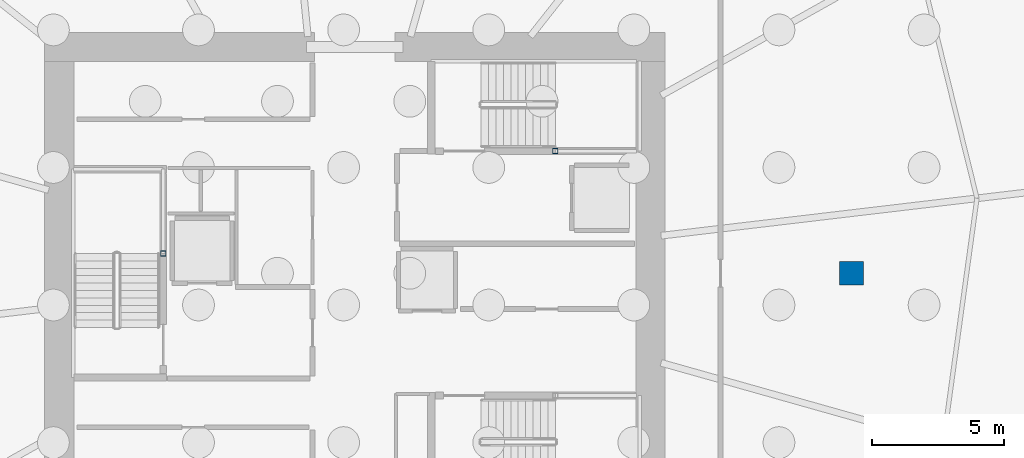
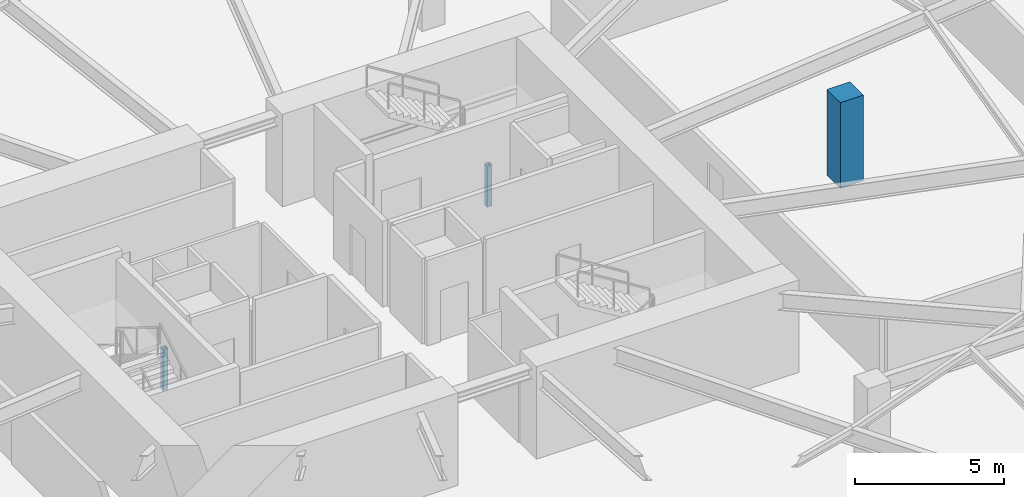
# One storey, part 4 of 12: 3 columns.
"""IFC4 building model written with IfcOpenShell, lengths in metres."""

from ifc_helpers import new_model, si_unit, direction, frame, origin, origin_2d, place, context, subcontext, project, spatial, rectangle, hollow_rectangle, extrude, material, material_profile, profile_set, type_object, element, save


model = new_model("IFC4")

# Units and contexts
model_context = context("Model", 3, precision=1e-05, world=origin(), true_north=direction((0.0, 1.0)))
body_context = subcontext(model_context, "Body", "Model", "MODEL_VIEW")
ifc_project = project(units=[si_unit("LENGTHUNIT", "METRE"), si_unit("AREAUNIT", "SQUARE_METRE"), si_unit("VOLUMEUNIT", "CUBIC_METRE"), si_unit("PLANEANGLEUNIT", "RADIAN"), si_unit("MASSUNIT", "GRAM", prefix="KILO")], contexts=[model_context])

# Site, building, storey
site_placement = place(None, origin())
site = spatial("IfcSite", under=ifc_project, at=site_placement, CompositionType="ELEMENT")
building_placement = place(site_placement, origin())
building = spatial("IfcBuilding", under=site, at=building_placement, Name="Kazma Halo Residences", CompositionType="ELEMENT")
storey_placement = place(building_placement, frame((0.0, 0.0, -7.60009765625)))
storey = spatial("IfcBuildingStorey", under=building, at=storey_placement, Name="B02", CompositionType="ELEMENT", Elevation=-7.60009765625)

# Columns
ifc_material_1 = material(Name="Concrete C60/75", Category="concrete")
ifc_material_profile_1 = material_profile(ifc_material_1, rectangle(XDim=0.89990234375, YDim=0.89990234375, at=origin_2d()), Name="RECT900x900")
ifc_profile_set_1 = profile_set([ifc_material_profile_1], Name="Concrete C60/75")
column_type_1 = type_object("IfcColumnType", Name="COL-BSMT-900", PredefinedType="COLUMN", material=ifc_profile_set_1)
column_placement = place(storey_placement, frame((67.199951171875, 42.0, 0.0), z_axis=(0.0, 0.0, 1.0), x_axis=(1.0, 0.0, 0.0)))
element("IfcColumn", 1, at=column_placement, inside=storey, type_object=column_type_1, Name="B02 parking grid column 21", PredefinedType="COLUMN", context=body_context, shape_type="SweptSolid", body=[
    extrude(rectangle(XDim=0.89990234375, YDim=0.89990234375, at=origin_2d()), origin(), (0.0, 0.0, 1.0), 3.52001953125),
])
ifc_material_2 = material(Name="Steel S355", Category="steel")
ifc_material_profile_2 = material_profile(ifc_material_2, hollow_rectangle(XDim=0.199951171875, YDim=0.199951171875, WallThickness=0.010009765625, InnerFilletRadius=0.010009765625, OuterFilletRadius=0.02001953125, at=origin_2d()), Name="SHS200x200x10")
ifc_profile_set_2 = profile_set([ifc_material_profile_2], Name="Steel S355")
column_type_2 = type_object("IfcColumnType", Name="COL-LP-SHS200", PredefinedType="COLUMN", material=ifc_profile_set_2)
for number, where, z_axis, x_axis, name in (
    (2, (41.179931640625, 42.75, 0.0), (0.0, 0.0, 1.0), (1.0, 0.0, 0.0), "B02 ST-01 landing pilaster 1"),
    (3, (56.0, 46.6201171875, 0.0), (0.0, 0.0, 1.0), (1.0, 0.0, 0.0), "B02 ST-02 landing pilaster 1"),
):
    element("IfcColumn", number, at=place(storey_placement, frame(where, z_axis=z_axis, x_axis=x_axis)), inside=storey, type_object=column_type_2, Name=name, PredefinedType="COLUMN", context=body_context, shape_type="SweptSolid", body=[
        extrude(hollow_rectangle(XDim=0.199951171875, YDim=0.199951171875, WallThickness=0.010009765625, InnerFilletRadius=0.010009765625, OuterFilletRadius=0.02001953125, at=origin_2d()), origin(), (0.0, 0.0, 1.0), 1.695068359375),
    ])

save(model, "model.ifc")
